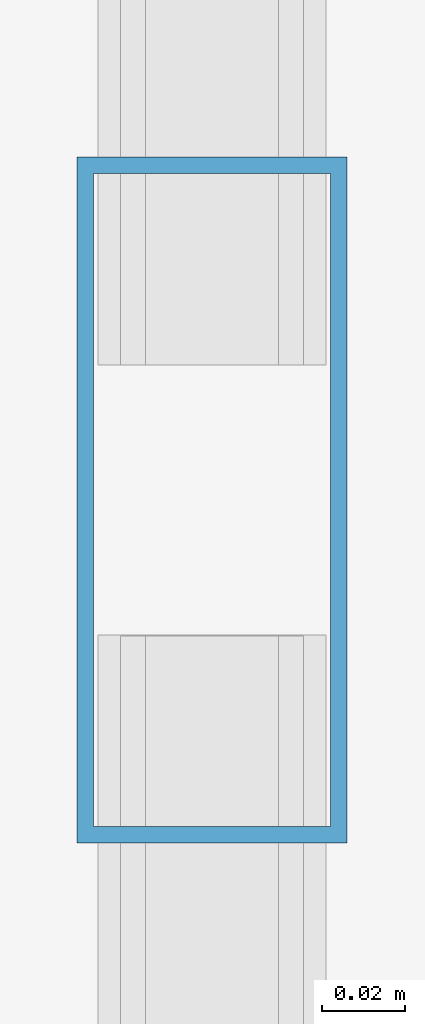
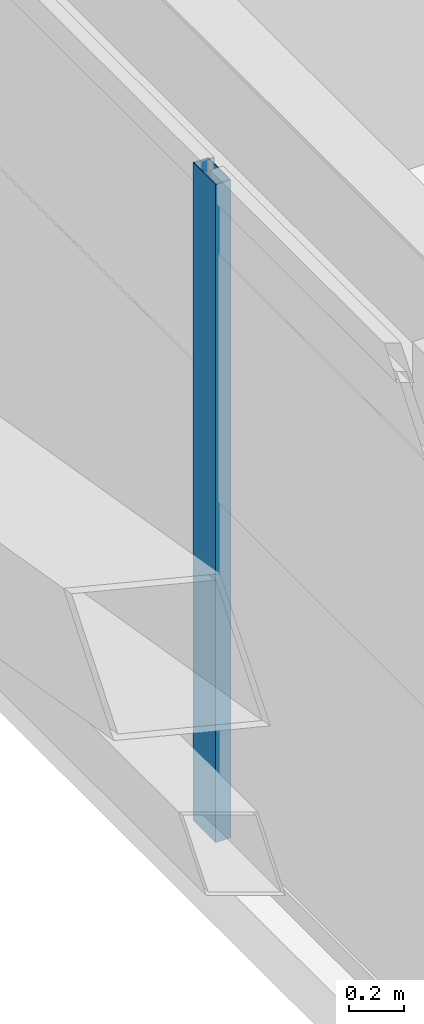
# One storey, part 16 of 59: 1 member, 1 element without a shape of its own.
"""IFC4 building model written with IfcOpenShell, lengths in metres."""

from ifc_helpers import new_model, si_unit, direction, frame, origin, origin_2d, place, context, subcontext, project, spatial, hollow_rectangle, extrude, source, transform, mapped, material, layer, layer_set, material_profile, profile_set, type_object, element, aggregate, save


model = new_model("IFC4")

# Units and contexts
model_context = context("Model", 3, precision=1e-05, world=origin(), true_north=direction((0.0, 1.0)))
body_context = subcontext(model_context, "Body", "Model", "MODEL_VIEW")
ifc_project = project(units=[si_unit("LENGTHUNIT", "METRE"), si_unit("AREAUNIT", "SQUARE_METRE"), si_unit("VOLUMEUNIT", "CUBIC_METRE"), si_unit("PLANEANGLEUNIT", "RADIAN"), si_unit("MASSUNIT", "GRAM", prefix="KILO")], contexts=[model_context])

# Site, building, storey
site_placement = place(None, origin())
site = spatial("IfcSite", under=ifc_project, at=site_placement, CompositionType="ELEMENT")
building_placement = place(site_placement, origin())
building = spatial("IfcBuilding", under=site, at=building_placement, Name="Taldren Reach Tower", CompositionType="ELEMENT")
storey_placement = place(building_placement, frame((0.0, 0.0, 23.10009765625)))
storey = spatial("IfcBuildingStorey", under=building, at=storey_placement, Name="L06", CompositionType="ELEMENT", Elevation=23.10009765625)

# Curtain wall, member
ifc_material_1 = material(Name="Aluminium and Low-E Glass Unitised System", Category="aluminium")
ifc_layer = layer(ifc_material_1, 0.159912109375)
ifc_layer_set = layer_set([ifc_layer], Name="Aluminium and Low-E Glass Unitised System")
curtain_wall_type = type_object("IfcCurtainWallType", Name="CW-SYS-2", PredefinedType="NOTDEFINED", material=ifc_layer_set)
curtain_wall_placement = place(storey_placement, origin())
curtain_wall = element("IfcCurtainWall", 1, at=curtain_wall_placement, inside=storey, type_object=curtain_wall_type, Name="Unitised curtain wall CW-L06-W", PredefinedType="NOTDEFINED")
ifc_material_2 = material(Name="Anodised Aluminium 6063-T6", Category="aluminium")
ifc_material_profile = material_profile(ifc_material_2, hollow_rectangle(XDim=0.06494140625, YDim=0.1650390625, WallThickness=0.00390625, at=origin_2d()), Name="ALU-165x65x4RHS")
ifc_profile_set = profile_set([ifc_material_profile], Name="Anodised Aluminium 6063-T6")
member_type = type_object("IfcMemberType", Name="CW-MUL-165", PredefinedType="MULLION", material=ifc_profile_set)
shared_shape = source(origin(), body_context, "Body", "SweptSolid", [
    extrude(hollow_rectangle(XDim=0.06494140625, YDim=0.1650390625, WallThickness=0.00390625, at=origin_2d()), origin(), (0.0, 0.0, 1.0), 2.929931640625),
])
member_placement = place(storey_placement, frame((5.139892578125, 25.166748046875, 0.0), z_axis=(0.0, 0.0, 1.0), x_axis=(1.0, 0.0, 0.0)))
member = element("IfcMember", 2, at=member_placement, type_object=member_type, Name="CW-2 mullion 4", PredefinedType="MULLION", context=body_context, shape_type="MappedRepresentation", body=[
    mapped(shared_shape, transform((0.0, 0.0, 0.0), scale=1.0)),
])
aggregate(curtain_wall, [member])

save(model, "model.ifc")
